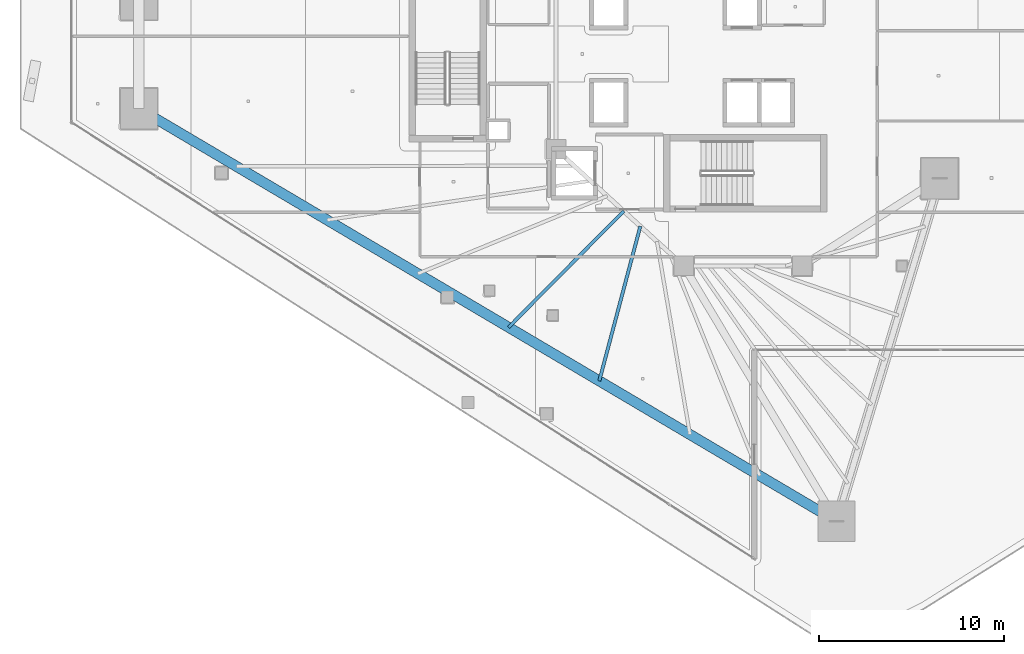
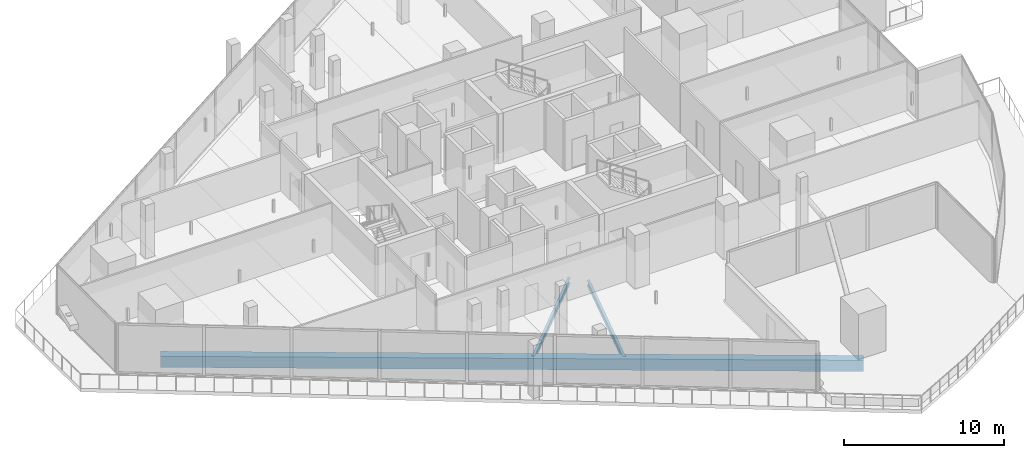
# One storey, part 3 of 39: 3 beams.
"""IFC4 building model written with IfcOpenShell, lengths in metres."""

import ifcopenshell
import ifcopenshell.guid

model = None  # the IFC model being written
_history = None  # IfcOwnerHistory: only IFC2X3 demands one
_inside = {}  # id of a spatial element -> (the spatial element, [elements in it])
_under = {}  # id of a project, library or spatial element -> (it, [spatial elements below it])
_declared = {}  # id of a project -> (the project, [libraries it declares])
_typed = {}  # id of a type object -> (the type object, [elements of that type])
_made_of = {}  # id of a material, layer set ... -> (it, [elements and type objects made of it])


def new_model(schema):
    """Start an empty IFC model of exactly this schema.

    Asked for "IFC4X3", IfcOpenShell would pick the latest addendum, in which some entities
    have other attributes; the version numbers below select the first issue.
    IFC2X3 requires an IfcOwnerHistory on every rooted entity: one is made here for all.
    """
    global model, _history
    if schema == "IFC4X3":
        model = ifcopenshell.file(schema_version=(4, 3, 0, 0))
    else:
        model = ifcopenshell.file(schema=schema)
    _inside.clear()
    _under.clear()
    _declared.clear()
    _typed.clear()
    _made_of.clear()
    _history = None
    if model.schema == "IFC2X3":
        org = make("IfcOrganization", Name="unknown")
        user = make(
            "IfcPersonAndOrganization",
            ThePerson=make("IfcPerson", FamilyName="unknown"),
            TheOrganization=org,
        )
        app = make(
            "IfcApplication",
            ApplicationDeveloper=org,
            Version="unknown",
            ApplicationFullName="unknown",
            ApplicationIdentifier="unknown",
        )
        _history = make(
            "IfcOwnerHistory",
            OwningUser=user,
            OwningApplication=app,
            ChangeAction="ADDED",
            CreationDate=0,
        )
    return model


def make(cls, **values):
    """One entity of the class cls with the attributes given. An attribute that is None is left unset."""
    return model.create_entity(
        cls, **{name: value for name, value in values.items() if value is not None}
    )


def rooted(cls, **values):
    """An entity with a GlobalId (a new one), such as an element, a storey or a relation."""
    return make(cls, GlobalId=ifcopenshell.guid.new(), OwnerHistory=_history, **values)


def si_unit(unit_type, name, prefix=None):
    """IfcSIUnit, for example si_unit("LENGTHUNIT", "METRE", prefix="MILLI")."""
    return make("IfcSIUnit", UnitType=unit_type, Prefix=prefix, Name=name)


def assignment(units):
    """IfcUnitAssignment: the units of a project."""
    return None if units is None else make("IfcUnitAssignment", Units=units)


def point(xyz):
    """IfcCartesianPoint."""
    return None if xyz is None else make("IfcCartesianPoint", Coordinates=xyz)


def direction(xyz):
    """IfcDirection."""
    return None if xyz is None else make("IfcDirection", DirectionRatios=xyz)


def frame(location, z_axis=None, x_axis=None):
    """IfcAxis2Placement3D, a coordinate frame: its origin and axes. An axis left out is left unset."""
    return make(
        "IfcAxis2Placement3D",
        Location=point(location),
        Axis=direction(z_axis),
        RefDirection=direction(x_axis),
    )


def frame_2d(location, x_axis=None):
    """IfcAxis2Placement2D, a coordinate frame in the plane: its origin and x axis."""
    return make(
        "IfcAxis2Placement2D", Location=point(location), RefDirection=direction(x_axis)
    )


def origin():
    """The frame at (0, 0, 0) with its axes left unset."""
    return frame((0.0, 0.0, 0.0))


def origin_2d():
    """The frame at (0, 0) in the plane with its x axis left unset."""
    return frame_2d((0.0, 0.0))


def place(relative_to, where):
    """IfcLocalPlacement: puts the frame where relative to a parent placement (None: the world)."""
    return make(
        "IfcLocalPlacement", PlacementRelTo=relative_to, RelativePlacement=where
    )


def context(
    kind, dimensions, precision=None, world=None, true_north=None, identifier=None
):
    """IfcGeometricRepresentationContext, for example the 3D "Model" context."""
    return make(
        "IfcGeometricRepresentationContext",
        ContextIdentifier=identifier,
        ContextType=kind,
        CoordinateSpaceDimension=dimensions,
        Precision=precision,
        WorldCoordinateSystem=world,
        TrueNorth=true_north,
    )


def subcontext(parent, identifier, kind, view, scale=None):
    """IfcGeometricRepresentationSubContext, for example "Body" below "Model"."""
    return make(
        "IfcGeometricRepresentationSubContext",
        ContextIdentifier=identifier,
        ContextType=kind,
        ParentContext=parent,
        TargetScale=scale,
        TargetView=view,
    )


def project(units=None, contexts=None):
    """IfcProject with its units and contexts."""
    return rooted(
        "IfcProject",
        Name="project",
        RepresentationContexts=contexts,
        UnitsInContext=assignment(units),
    )


def spatial(cls, under=None, at=None, **own):
    """A site, building, storey or space (cls), placed at a placement, below another one or the project."""
    s = rooted(cls, ObjectPlacement=at, **own)
    if under is not None:
        _under.setdefault(under.id(), (under, []))[1].append(s)
    return s


def profile(cls, at=None, kind="AREA", **sizes):
    """A parametric profile (cls). Its sizes go by their IFC names, for example OverallWidth=200.0."""
    return make(cls, ProfileType=kind, Position=at, **sizes)


def rectangle(**sizes):
    """IfcRectangleProfileDef."""
    return profile("IfcRectangleProfileDef", **sizes)


def i_section(**sizes):
    """IfcIShapeProfileDef."""
    return profile("IfcIShapeProfileDef", **sizes)


def extrude(swept, where, along, depth):
    """IfcExtrudedAreaSolid: the profile swept, set in the frame where, extruded along a direction by depth."""
    return make(
        "IfcExtrudedAreaSolid",
        SweptArea=swept,
        Position=where,
        ExtrudedDirection=direction(along),
        Depth=depth,
    )


def shape(context_of_items, identifier, shape_type, items):
    """IfcShapeRepresentation: the items that make up one representation, for example the "Body"."""
    return make(
        "IfcShapeRepresentation",
        ContextOfItems=context_of_items,
        RepresentationIdentifier=identifier,
        RepresentationType=shape_type,
        Items=items,
    )


def material(Name=None, Category=None):
    """IfcMaterial."""
    return make("IfcMaterial", Name=Name, Category=Category)


def material_profile(
    of_material, cross_section, Name=None, Category=None, Priority=None
):
    """IfcMaterialProfile: a cross section and its material."""
    return make(
        "IfcMaterialProfile",
        Name=Name,
        Material=of_material,
        Profile=cross_section,
        Priority=Priority,
        Category=Category,
    )


def profile_set(profiles, Name=None, composite=None):
    """IfcMaterialProfileSet."""
    return make(
        "IfcMaterialProfileSet",
        Name=Name,
        MaterialProfiles=profiles,
        CompositeProfile=composite,
    )


def made_of(thing, what):
    """Note that an element or type object is made of a material, layer set ...; save() writes the relation."""
    if what is not None:
        _made_of.setdefault(what.id(), (what, []))[1].append(thing)
    return thing


def type_object(cls, material=None, **own):
    """A type object (cls), such as IfcWallType, which elements share."""
    return made_of(rooted(cls, **own), material)


def element(
    cls,
    number,
    at=None,
    inside=None,
    cuts=None,
    type_object=None,
    material=None,
    context=None,
    identifier="Body",
    shape_type=None,
    held_by="IfcProductDefinitionShape",
    body=None,
    shapes=None,
    **own,
):
    """One element of the class cls, such as IfcWall. Its Tag is "e" and its number.

    at: its placement. inside: the storey or other place that contains it. cuts: it is an
    opening in that element (IfcRelVoidsElement). A single representation is given by context,
    identifier, shape_type and body (its items); several are given by shapes. held_by: the class
    of the entity that holds the representations. save() writes the other relations.
    """
    e = rooted(cls, Tag="e%d" % number, ObjectPlacement=at, **own)
    if body is not None:
        shapes = [shape(context, identifier, shape_type, body)]
    if shapes is not None:
        e.Representation = make(held_by, Representations=shapes)
    if inside is not None:
        _inside.setdefault(inside.id(), (inside, []))[1].append(e)
    if cuts is not None:
        rooted(
            "IfcRelVoidsElement", RelatingBuildingElement=cuts, RelatedOpeningElement=e
        )
    if type_object is not None:
        _typed.setdefault(type_object.id(), (type_object, []))[1].append(e)
    return made_of(e, material)


def aggregate(whole, parts):
    """IfcRelAggregates: a whole, such as a stair, and the parts it consists of."""
    return rooted("IfcRelAggregates", RelatingObject=whole, RelatedObjects=parts)


def save(model, path):
    """Write the relations noted so far, then the file.

    IfcRelAggregates (storeys below a building ...), IfcRelContainedInSpatialStructure (elements
    in a storey), IfcRelDefinesByType, IfcRelAssociatesMaterial and IfcRelDeclares: one each for
    every whole, place, type object, material and project.
    """
    for whole, parts in _under.values():
        aggregate(whole, parts)
    for where, things in _inside.values():
        rooted(
            "IfcRelContainedInSpatialStructure",
            RelatedElements=things,
            RelatingStructure=where,
        )
    for kind, things in _typed.values():
        rooted("IfcRelDefinesByType", RelatedObjects=things, RelatingType=kind)
    for what, things in _made_of.values():
        rooted("IfcRelAssociatesMaterial", RelatedObjects=things, RelatingMaterial=what)
    for by, libraries in _declared.values():
        rooted("IfcRelDeclares", RelatingContext=by, RelatedDefinitions=libraries)
    model.write(path)


model = new_model("IFC4")

# Units and contexts
model_context = context("Model", 3, precision=1e-05, world=origin(), true_north=direction((0.0, 1.0)))
body_context = subcontext(model_context, "Body", "Model", "MODEL_VIEW")
ifc_project = project(units=[si_unit("LENGTHUNIT", "METRE"), si_unit("AREAUNIT", "SQUARE_METRE"), si_unit("VOLUMEUNIT", "CUBIC_METRE"), si_unit("PLANEANGLEUNIT", "RADIAN"), si_unit("MASSUNIT", "GRAM", prefix="KILO")], contexts=[model_context])

# Site, building, storey
site_placement = place(None, origin())
site = spatial("IfcSite", under=ifc_project, at=site_placement, CompositionType="ELEMENT")
building_placement = place(site_placement, origin())
building = spatial("IfcBuilding", under=site, at=building_placement, Name="Qorvath Tower", CompositionType="ELEMENT")
storey_placement = place(building_placement, frame((0.0, 0.0, 154.35009765625)))
storey = spatial("IfcBuildingStorey", under=building, at=storey_placement, Name="L35", CompositionType="ELEMENT", Elevation=154.35009765625)

# Beams
ifc_material_1 = material(Name="Steel ASTM A992 Grade 50", Category="steel")
ifc_material_profile_1 = material_profile(ifc_material_1, i_section(OverallWidth=0.177978515625, OverallDepth=0.406005859375, WebThickness=0.0078125, FlangeThickness=0.0126953125, FilletRadius=0.010986328125, at=origin_2d()), Name="W16x40")
ifc_profile_set_1 = profile_set([ifc_material_profile_1], Name="Steel ASTM A992 Grade 50")
beam_type_1 = type_object("IfcBeamType", Name="BM-FJ3", PredefinedType="JOIST", material=ifc_profile_set_1)
beam_1_placement = place(storey_placement, frame((-26.843017578125, -8.489013671875, -0.472900390625), z_axis=(-0.70395121362, -0.710248328997, 0.0), x_axis=(0.710248328997, -0.70395121362, 0.0)))
element("IfcBeam", 1, at=beam_1_placement, inside=storey, type_object=beam_type_1, Name="Composite Floor Joist SW4 L35", PredefinedType="JOIST", context=body_context, shape_type="SweptSolid", body=[
    extrude(i_section(OverallWidth=0.177978515625, OverallDepth=0.406005859375, WebThickness=0.0078125, FlangeThickness=0.0126953125, FilletRadius=0.010986328125, at=origin_2d()), origin(), (0.0, 0.0, 1.0), 8.839599609375),
])
beam_2_placement = place(storey_placement, frame((-25.946044921875, -9.30810546875, -0.472900390625), z_axis=(-0.256507909517, -0.966542131702, 0.0), x_axis=(0.966542131702, -0.256507909517, 0.0)))
element("IfcBeam", 2, at=beam_2_placement, inside=storey, type_object=beam_type_1, Name="Composite Floor Joist SW5 L35", PredefinedType="JOIST", context=body_context, shape_type="SweptSolid", body=[
    extrude(i_section(OverallWidth=0.177978515625, OverallDepth=0.406005859375, WebThickness=0.0078125, FlangeThickness=0.0126953125, FilletRadius=0.010986328125, at=origin_2d()), origin(), (0.0, 0.0, 1.0), 8.64697265625),
])
ifc_material_2 = material(Name="Concrete C50/60", Category="concrete")
ifc_material_profile_2 = material_profile(ifc_material_2, rectangle(XDim=0.550048828125, YDim=0.85009765625, at=origin_2d()), Name="RCB 850x550")
ifc_profile_set_2 = profile_set([ifc_material_profile_2], Name="Concrete C50/60")
beam_type_2 = type_object("IfcBeamType", Name="BM-RCB2", PredefinedType="SPANDREL", material=ifc_profile_set_2)
beam_3_placement = place(storey_placement, frame((-53.04931640625, -2.95068359375, -0.695068359375), z_axis=(0.860775142889, -0.508985415689, 0.0), x_axis=(0.508985415689, 0.860775142889, 0.0)))
element("IfcBeam", 3, at=beam_3_placement, inside=storey, type_object=beam_type_2, Name="Perimeter Loggia Frame Beam MC2-MC3 L35", PredefinedType="SPANDREL", context=body_context, shape_type="SweptSolid", body=[
    extrude(rectangle(XDim=0.550048828125, YDim=0.85009765625, at=origin_2d()), origin(), (0.0, 0.0, 1.0), 43.8037109375),
])

save(model, "model.ifc")
